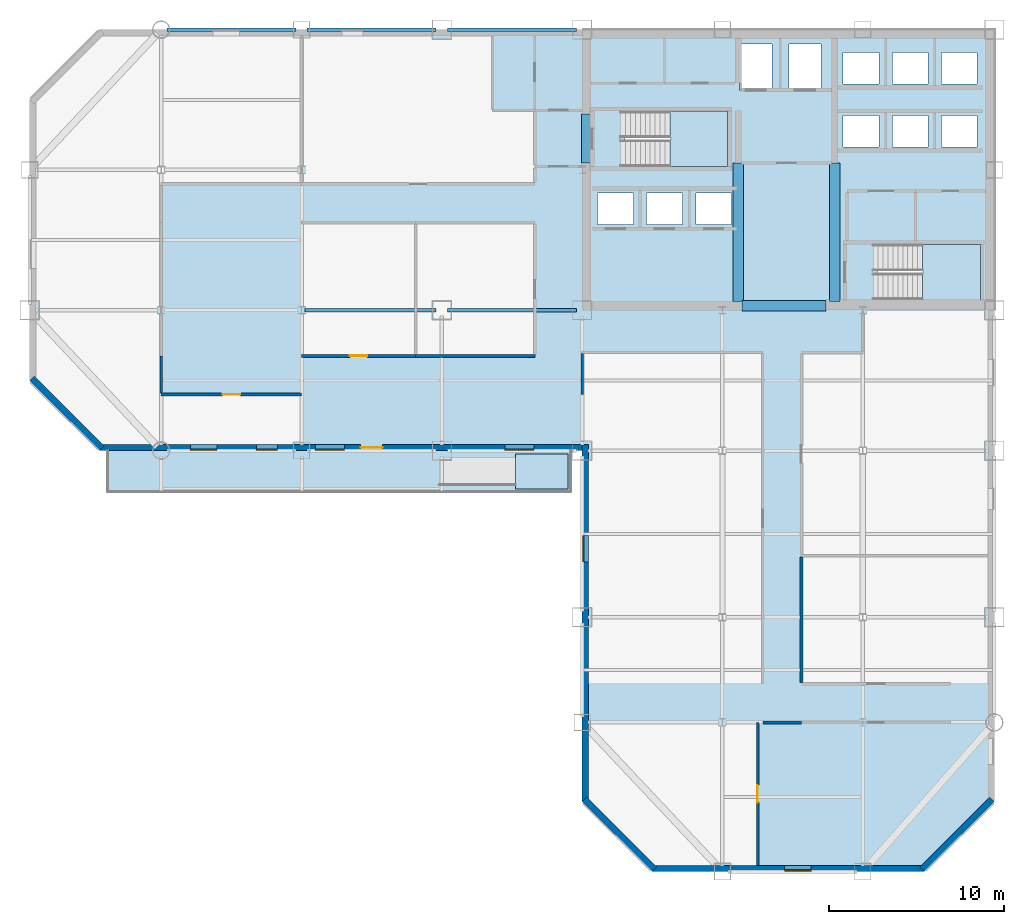
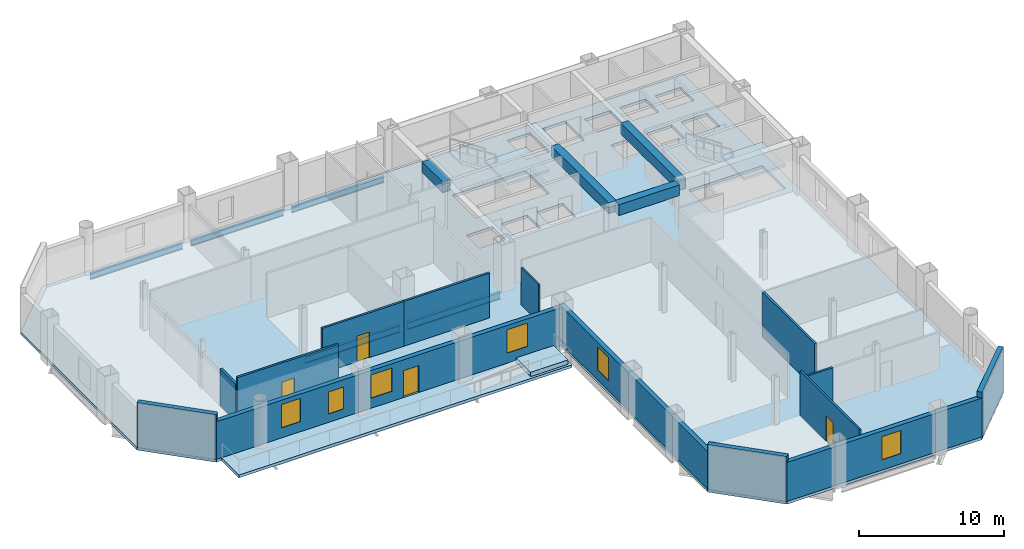
# One storey, part 5 of 10: 14 walls, 9 beams, 6 windows, 5 slabs, 4 doors, 10 openings, 3 elements without a shape of their own.
"""IFC4 building model written with IfcOpenShell, lengths in metres."""

from ifc_helpers import new_model, si_unit, direction, frame, frame_2d, origin, origin_2d, place, context, subcontext, project, spatial, polyline, rectangle, i_section, outline, extrude, material, layer, layer_set, material_profile, profile_set, type_object, element, fill, aggregate, save


model = new_model("IFC4")

# Units and contexts
model_context = context("Model", 3, precision=1e-05, world=origin(), true_north=direction((0.0, 1.0)))
body_context = subcontext(model_context, "Body", "Model", "MODEL_VIEW")
ifc_project = project(units=[si_unit("LENGTHUNIT", "METRE"), si_unit("AREAUNIT", "SQUARE_METRE"), si_unit("VOLUMEUNIT", "CUBIC_METRE"), si_unit("PLANEANGLEUNIT", "RADIAN"), si_unit("MASSUNIT", "GRAM", prefix="KILO")], contexts=[model_context])

# Site, building, storey
site_placement = place(None, origin())
site = spatial("IfcSite", under=ifc_project, at=site_placement, CompositionType="ELEMENT")
building_placement = place(site_placement, origin())
building = spatial("IfcBuilding", under=site, at=building_placement, Name="Qianrong Seaharbour Tower", CompositionType="ELEMENT")
storey_placement = place(building_placement, frame((0.0, 0.0, 151.0)))
storey = spatial("IfcBuildingStorey", under=building, at=storey_placement, Name="L36", CompositionType="ELEMENT", Elevation=151.0)

# Beams
ifc_material_1 = material(Name="Structural steel SN490B", Category="steel")
ifc_material_profile_1 = material_profile(ifc_material_1, i_section(OverallWidth=0.199951171875, OverallDepth=0.60009765625, WebThickness=0.010986328125, FlangeThickness=0.01708984375, FilletRadius=0.02197265625, at=origin_2d()), Name="H600x200x11x17")
ifc_profile_set_1 = profile_set([ifc_material_profile_1], Name="Structural steel SN490B")
beam_type_1 = type_object("IfcBeamType", Name="BM-G-600", PredefinedType="BEAM", material=ifc_profile_set_1)
beam_1_placement = place(storey_placement, frame((24.699951171875, 36.0, -0.534912109375), z_axis=(1.0, 0.0, 0.0), x_axis=(0.0, 1.0, 0.0)))
element("IfcBeam", 1, at=beam_1_placement, inside=storey, type_object=beam_type_1, Name="L36 Primary Girder GF G4-G5", PredefinedType="BEAM", context=body_context, shape_type="SweptSolid", body=[
    extrude(i_section(OverallWidth=0.199951171875, OverallDepth=0.60009765625, WebThickness=0.010986328125, FlangeThickness=0.01708984375, FilletRadius=0.02197265625, at=origin_2d()), origin(), (0.0, 0.0, 1.0), 7.47998046875),
])
beam_2_placement = place(storey_placement, frame((32.820068359375, 36.0, -0.534912109375), z_axis=(1.0, 0.0, 0.0), x_axis=(0.0, 1.0, 0.0)))
element("IfcBeam", 2, at=beam_2_placement, inside=storey, type_object=beam_type_1, Name="L36 Primary Girder GF G5-G6", PredefinedType="BEAM", context=body_context, shape_type="SweptSolid", body=[
    extrude(i_section(OverallWidth=0.199951171875, OverallDepth=0.60009765625, WebThickness=0.010986328125, FlangeThickness=0.01708984375, FilletRadius=0.02197265625, at=origin_2d()), origin(), (0.0, 0.0, 1.0), 7.35986328125),
])
ifc_material_2 = material(Name="Concrete C70/85", Category="concrete")
ifc_material_profile_2 = material_profile(ifc_material_2, rectangle(XDim=0.60009765625, YDim=0.89990234375, at=origin_2d()), Name="RC600x900")
ifc_profile_set_2 = profile_set([ifc_material_profile_2], Name="Concrete C70/85")
beam_type_2 = type_object("IfcBeamType", Name="BM-LINTEL-900", PredefinedType="LINTEL", material=ifc_profile_set_2)
beam_3_placement = place(storey_placement, frame((40.75, 44.39990234375, 3.31494140625), z_axis=(0.0, 1.0, 0.0), x_axis=(-1.0, 0.0, 0.0)))
element("IfcBeam", 3, at=beam_3_placement, inside=storey, type_object=beam_type_2, Name="L36 Core Coupling Lintel Beam West", PredefinedType="LINTEL", context=body_context, shape_type="SweptSolid", body=[
    extrude(rectangle(XDim=0.60009765625, YDim=0.89990234375, at=origin_2d()), origin(), (0.0, 0.0, 1.0), 2.800048828125),
])
beam_4_placement = place(storey_placement, frame((49.60009765625, 36.25, 3.31494140625), z_axis=(1.0, 0.0, 0.0), x_axis=(0.0, 1.0, 0.0)))
element("IfcBeam", 4, at=beam_4_placement, inside=storey, type_object=beam_type_2, Name="L36 Core Coupling Lintel Beam CBC", PredefinedType="LINTEL", context=body_context, shape_type="SweptSolid", body=[
    extrude(rectangle(XDim=0.60009765625, YDim=0.89990234375, at=origin_2d()), origin(), (0.0, 0.0, 1.0), 4.7998046875),
])
for number, where, z_axis, x_axis, name in (
    (5, (49.39990234375, 36.5, 3.31494140625), (0.0, 1.0, 0.0), (-1.0, 0.0, 0.0), "L36 Internal Core Coupling Beam IW1"),
    (6, (54.89990234375, 36.5, 3.31494140625), (0.0, 1.0, 0.0), (-1.0, 0.0, 0.0), "L36 Internal Core Coupling Beam IW2"),
):
    element("IfcBeam", number, at=place(storey_placement, frame(where, z_axis=z_axis, x_axis=x_axis)), inside=storey, type_object=beam_type_2, Name=name, PredefinedType="LINTEL", context=body_context, shape_type="SweptSolid", body=[
        extrude(rectangle(XDim=0.60009765625, YDim=0.89990234375, at=origin_2d()), origin(), (0.0, 0.0, 1.0), 7.89990234375),
    ])
ifc_material_profile_3 = material_profile(ifc_material_1, i_section(OverallWidth=0.199951171875, OverallDepth=0.5, WebThickness=0.010009765625, FlangeThickness=0.01611328125, FilletRadius=0.02001953125, at=origin_2d()), Name="H500x200x10x16")
ifc_profile_set_3 = profile_set([ifc_material_profile_3], Name="Structural steel SN490B")
beam_type_3 = type_object("IfcBeamType", Name="BM-SP-500", PredefinedType="SPANDREL", material=ifc_profile_set_3)
for number, where, z_axis, x_axis, name in (
    (7, (16.820068359375, 52.0, -0.485107421875), (1.0, 0.0, 0.0), (0.0, 1.0, 0.0), "L36 Spandrel Girder GH G3-G4"),
    (8, (24.820068359375, 52.0, -0.485107421875), (1.0, 0.0, 0.0), (0.0, 1.0, 0.0), "L36 Spandrel Girder GH G4-G5"),
    (9, (32.820068359375, 52.0, -0.485107421875), (1.0, 0.0, 0.0), (0.0, 1.0, 0.0), "L36 Spandrel Girder GH G5-G6"),
):
    element("IfcBeam", number, at=place(storey_placement, frame(where, z_axis=z_axis, x_axis=x_axis)), inside=storey, type_object=beam_type_3, Name=name, PredefinedType="SPANDREL", context=body_context, shape_type="SweptSolid", body=[
        extrude(i_section(OverallWidth=0.199951171875, OverallDepth=0.5, WebThickness=0.010009765625, FlangeThickness=0.01611328125, FilletRadius=0.02001953125, at=origin_2d()), origin(), (0.0, 0.0, 1.0), 7.35986328125),
    ])

# Ramp, slab
ifc_material_3 = material(Name="White architectural precast concrete C45/55", Category="concrete")
ramp_type = type_object("IfcRampType", Name="RAMP-RIBBON-GARDEN", PredefinedType="STRAIGHT_RUN_RAMP", material=ifc_material_3)
ramp_placement = place(storey_placement, origin())
ramp = element("IfcRamp", 10, at=ramp_placement, inside=storey, type_object=ramp_type, Name="L36 Harbourfront Garden Ribbon Ramp", PredefinedType="STRAIGHT_RUN_RAMP")
ifc_layer_1 = layer(ifc_material_3, 0.360107421875)
ifc_layer_set_1 = layer_set([ifc_layer_1], Name="White architectural precast concrete C45/55")
slab_type_1 = type_object("IfcSlabType", Name="SLAB-RAMP-LANDING-220", PredefinedType="LANDING", material=ifc_layer_set_1)
slab_1_placement = place(storey_placement, origin())
slab_1 = element("IfcSlab", 11, at=slab_1_placement, type_object=slab_type_1, Name="L36 Harbourfront Ribbon Raised Garden Landing", PredefinedType="LANDING", context=body_context, shape_type="SweptSolid", body=[
    extrude(outline(polyline([(36.699951171875, 25.800048828125), (39.699951171875, 25.800048828125), (39.699951171875, 27.800048828125), (36.699951171875, 27.800048828125), (36.699951171875, 25.800048828125)])), origin(), (0.0, 0.0, 1.0), 0.360107421875),
])
aggregate(ramp, [slab_1])

# Slab
ifc_layer_2 = layer(ifc_material_3, 0.235107421875)
ifc_layer_set_2 = layer_set([ifc_layer_2], Name="White architectural precast concrete C45/55")
slab_type_2 = type_object("IfcSlabType", Name="SLAB-RIBBON-235", PredefinedType="FLOOR", material=ifc_layer_set_2)
slab_2_placement = place(storey_placement, frame((0.0, 0.0, -0.235107421875)))
element("IfcSlab", 12, at=slab_2_placement, inside=storey, type_object=slab_type_2, Name="L36 Harbourfront White Precast Ribbon Gallery Slab", PredefinedType="FLOOR", context=body_context, shape_type="SweptSolid", body=[
    extrude(outline(polyline([(13.39990234375, 25.60009765625), (39.89990234375, 25.60009765625), (39.89990234375, 28.0), (13.39990234375, 28.0), (13.39990234375, 25.60009765625)])), origin(), (0.0, 0.0, 1.0), 0.235107421875),
])

# Stair, slab
ifc_material_4 = material(Name="Concrete C50/60", Category="concrete")
stair_type = type_object("IfcStairType", Name="STAIR-DOGLEG-1500-R22", PredefinedType="HALF_TURN_STAIR", material=ifc_material_4)
stair_1_placement = place(storey_placement, origin())
stair_1 = element("IfcStair", 13, at=stair_1_placement, inside=storey, type_object=stair_type, Name="L36 Protected Escape Stair ST-1", PredefinedType="HALF_TURN_STAIR")
ifc_layer_3 = layer(ifc_material_4, 0.199951171875)
ifc_layer_set_3 = layer_set([ifc_layer_3], Name="Concrete C50/60")
slab_type_3 = type_object("IfcSlabType", Name="SLAB-STAIR-LANDING-200", PredefinedType="LANDING", material=ifc_layer_set_3)
slab_3_placement = place(storey_placement, frame((0.0, 0.0, 1.800048828125)))
slab_3 = element("IfcSlab", 14, at=slab_3_placement, type_object=slab_type_3, Name="ST-1 landing 1", PredefinedType="LANDING", context=body_context, shape_type="SweptSolid", body=[
    extrude(outline(polyline([(45.5, 44.199951171875), (48.800048828125, 44.199951171875), (48.800048828125, 47.35009765625), (45.5, 47.35009765625), (45.5, 44.199951171875)])), origin(), (0.0, 0.0, 1.0), 0.199951171875),
])
aggregate(stair_1, [slab_3])

stair_2_placement = place(storey_placement, origin())
stair_2 = element("IfcStair", 15, at=stair_2_placement, inside=storey, type_object=stair_type, Name="L36 Protected Escape Stair ST-2", PredefinedType="HALF_TURN_STAIR")
slab_4_placement = place(storey_placement, frame((0.0, 0.0, 1.800048828125)))
slab_4 = element("IfcSlab", 16, at=slab_4_placement, type_object=slab_type_3, Name="ST-2 landing 1", PredefinedType="LANDING", context=body_context, shape_type="SweptSolid", body=[
    extrude(outline(polyline([(59.89990234375, 36.60009765625), (63.199951171875, 36.60009765625), (63.199951171875, 39.75), (59.89990234375, 39.75), (59.89990234375, 36.60009765625)])), origin(), (0.0, 0.0, 1.0), 0.199951171875),
])
aggregate(stair_2, [slab_4])

# Slab
ifc_layer_4 = layer(ifc_material_4, 0.235107421875)
ifc_layer_set_4 = layer_set([ifc_layer_4], Name="Concrete C50/60")
slab_type_4 = type_object("IfcSlabType", Name="SLAB-Z2-235", PredefinedType="FLOOR", material=ifc_layer_set_4)
slab_5_placement = place(storey_placement, frame((0.0, 0.0, -0.235107421875)))
element("IfcSlab", 17, at=slab_5_placement, inside=storey, type_object=slab_type_4, Name="L36 Structural Floor Slab", PredefinedType="FLOOR", context=body_context, shape_type="SweptSolid", body=[
    extrude(outline(polyline([(44.5, 4.0), (60.0, 4.0), (64.0, 8.0), (64.0, 52.0), (13.0, 52.0), (9.0, 48.0), (9.0, 32.0), (13.0, 28.0), (40.5, 28.0), (40.5, 8.0), (44.5, 4.0)]), holes=[polyline([(42.93994140625, 44.199951171875), (42.93994140625, 47.35009765625), (48.800048828125, 47.35009765625), (48.800048828125, 44.199951171875), (42.93994140625, 44.199951171875)]), polyline([(57.340087890625, 36.60009765625), (57.340087890625, 39.75), (63.199951171875, 39.75), (63.199951171875, 36.60009765625), (57.340087890625, 36.60009765625)]), polyline([(49.47998046875, 48.530029296875), (49.47998046875, 51.169921875), (51.320068359375, 51.169921875), (51.320068359375, 48.530029296875), (49.47998046875, 48.530029296875)]), polyline([(52.280029296875, 48.530029296875), (52.280029296875, 51.169921875), (54.1201171875, 51.169921875), (54.1201171875, 48.530029296875), (52.280029296875, 48.530029296875)]), polyline([(41.3798828125, 40.89990234375), (41.3798828125, 42.699951171875), (43.419921875, 42.699951171875), (43.419921875, 40.89990234375), (41.3798828125, 40.89990234375)]), polyline([(44.179931640625, 40.89990234375), (44.179931640625, 42.699951171875), (46.219970703125, 42.699951171875), (46.219970703125, 40.89990234375), (44.179931640625, 40.89990234375)]), polyline([(46.97998046875, 40.89990234375), (46.97998046875, 42.699951171875), (49.02001953125, 42.699951171875), (49.02001953125, 40.89990234375), (46.97998046875, 40.89990234375)]), polyline([(55.3798828125, 45.300048828125), (55.3798828125, 47.10009765625), (57.419921875, 47.10009765625), (57.419921875, 45.300048828125), (55.3798828125, 45.300048828125)]), polyline([(58.179931640625, 45.300048828125), (58.179931640625, 47.10009765625), (60.219970703125, 47.10009765625), (60.219970703125, 45.300048828125), (58.179931640625, 45.300048828125)]), polyline([(60.97998046875, 45.300048828125), (60.97998046875, 47.10009765625), (63.02001953125, 47.10009765625), (63.02001953125, 45.300048828125), (60.97998046875, 45.300048828125)]), polyline([(55.3798828125, 48.89990234375), (55.3798828125, 50.699951171875), (57.419921875, 50.699951171875), (57.419921875, 48.89990234375), (55.3798828125, 48.89990234375)]), polyline([(58.179931640625, 48.89990234375), (58.179931640625, 50.699951171875), (60.219970703125, 50.699951171875), (60.219970703125, 48.89990234375), (58.179931640625, 48.89990234375)]), polyline([(60.97998046875, 48.89990234375), (60.97998046875, 50.699951171875), (63.02001953125, 50.699951171875), (63.02001953125, 48.89990234375), (60.97998046875, 48.89990234375)])]), origin(), (0.0, 0.0, 1.0), 0.235107421875),
])

# Wall, opening, door
ifc_material_5 = material(Name="Fire-rated acoustic gypsum board partition")
ifc_layer_5 = layer(ifc_material_5, 0.1650390625)
ifc_layer_set_5 = layer_set([ifc_layer_5], Name="Fire-rated acoustic gypsum board partition")
wall_type_1 = type_object("IfcWallType", Name="WALL-CORR-PART-165", PredefinedType="PARTITIONING", material=ifc_layer_set_5)
wall_1_placement = place(storey_placement, frame((24.5, 31.199951171875, 0.0), z_axis=(0.0, 0.0, 1.0), x_axis=(-1.0, 0.0, 0.0)))
wall_1 = element("IfcWall", 18, at=wall_1_placement, inside=storey, type_object=wall_type_1, Name="L36 Interior Partition Wall 015", PredefinedType="PARTITIONING", context=body_context, shape_type="SweptSolid", body=[
    extrude(rectangle(XDim=8.0, YDim=0.1650390625, at=frame_2d((4.0, 0.0))), origin(), (0.0, 0.0, 1.0), 3.764892578125),
])
opening_1_placement = place(wall_1_placement, frame((3.5, 0.0, 0.0)))
opening_1 = element("IfcOpeningElement", 19, at=opening_1_placement, cuts=wall_1, Name="Opening DO-01", PredefinedType="OPENING", context=body_context, shape_type="SweptSolid", body=[
    extrude(rectangle(XDim=1.0, YDim=2.14990234375, at=frame_2d((0.5, 1.074951171875))), frame((0.0, 0.092529296875, 0.0), z_axis=(0.0, -1.0, 0.0), x_axis=(1.0, 0.0, 0.0)), (0.0, 0.0, 1.0), 0.18505859375),
])
ifc_material_6 = material(Name="Acoustic timber and galvanized steel fire door assembly", Category="steel")
door_type_1 = type_object("IfcDoorType", Name="DOOR-OFFICE-1000x2150", OperationType="NOTDEFINED", PredefinedType="DOOR", material=ifc_material_6)
door_1_placement = place(opening_1_placement, origin())
door_1 = element("IfcDoor", 20, at=door_1_placement, inside=storey, type_object=door_type_1, Name="L36 West Harbour Open-Plan Office Door", OperationType="SINGLE_SWING_LEFT", OverallHeight=2.14990234375, OverallWidth=1.0, PredefinedType="DOOR", context=body_context, shape_type="SweptSolid", body=[
    extrude(rectangle(XDim=1.0, YDim=2.14990234375, at=frame_2d((0.5, 1.074951171875))), frame((0.0, 0.02490234375, 0.0), z_axis=(0.0, -1.0, 0.0), x_axis=(1.0, 0.0, 0.0)), (0.0, 0.0, 1.0), 0.050048828125),
])
fill(opening_1, door_1)

# Wall
wall_2_placement = place(storey_placement, frame((16.5, 31.2744140625, 0.0), z_axis=(0.0, 0.0, 1.0), x_axis=(0.0, 1.0, 0.0)))
element("IfcWall", 21, at=wall_2_placement, inside=storey, type_object=wall_type_1, Name="L36 Interior Partition Wall 016", PredefinedType="PARTITIONING", context=body_context, shape_type="SweptSolid", body=[
    extrude(rectangle(XDim=2.12548828125, YDim=0.1650390625, at=frame_2d((1.062744140625, 0.0))), origin(), (0.0, 0.0, 1.0), 3.156982421875),
])

# Wall, opening, door
wall_3_placement = place(storey_placement, frame((24.5, 33.39990234375, 0.0), z_axis=(0.0, 0.0, 1.0), x_axis=(1.0, 0.0, 0.0)))
wall_3 = element("IfcWall", 22, at=wall_3_placement, inside=storey, type_object=wall_type_1, Name="L36 Interior Partition Wall 017", PredefinedType="PARTITIONING", context=body_context, shape_type="SweptSolid", body=[
    extrude(rectangle(XDim=6.5, YDim=0.1650390625, at=frame_2d((3.25, 0.0))), origin(), (0.0, 0.0, 1.0), 3.764892578125),
])
opening_2_placement = place(wall_3_placement, frame((2.75, 0.0, 0.0)))
opening_2 = element("IfcOpeningElement", 23, at=opening_2_placement, cuts=wall_3, Name="Opening DO-01", PredefinedType="OPENING", context=body_context, shape_type="SweptSolid", body=[
    extrude(rectangle(XDim=1.0, YDim=2.14990234375, at=frame_2d((0.5, 1.074951171875))), frame((0.0, 0.092529296875, 0.0), z_axis=(0.0, -1.0, 0.0), x_axis=(1.0, 0.0, 0.0)), (0.0, 0.0, 1.0), 0.18505859375),
])
door_2_placement = place(opening_2_placement, origin())
door_2 = element("IfcDoor", 24, at=door_2_placement, inside=storey, type_object=door_type_1, Name="L36 Project Library 1 Door", OperationType="SINGLE_SWING_LEFT", OverallHeight=2.14990234375, OverallWidth=1.0, PredefinedType="DOOR", context=body_context, shape_type="SweptSolid", body=[
    extrude(rectangle(XDim=1.0, YDim=2.14990234375, at=frame_2d((0.5, 1.074951171875))), frame((0.0, 0.02490234375, 0.0), z_axis=(0.0, -1.0, 0.0), x_axis=(1.0, 0.0, 0.0)), (0.0, 0.0, 1.0), 0.050048828125),
])
fill(opening_2, door_2)

# Walls
wall_4_placement = place(storey_placement, frame((31.0, 33.39990234375, 0.0), z_axis=(0.0, 0.0, 1.0), x_axis=(1.0, 0.0, 0.0)))
element("IfcWall", 25, at=wall_4_placement, inside=storey, type_object=wall_type_1, Name="L36 Interior Partition Wall 018", PredefinedType="PARTITIONING", context=body_context, shape_type="SweptSolid", body=[
    extrude(rectangle(XDim=6.800048828125, YDim=0.1650390625, at=frame_2d((3.39990234375, 0.0))), origin(), (0.0, 0.0, 1.0), 3.764892578125),
])
wall_5_placement = place(storey_placement, frame((53.0, 21.935546875, 0.0), z_axis=(0.0, 0.0, 1.0), x_axis=(0.0, -1.0, 0.0)))
element("IfcWall", 26, at=wall_5_placement, inside=storey, type_object=wall_type_1, Name="L36 Interior Partition Wall 032", PredefinedType="PARTITIONING", context=body_context, shape_type="SweptSolid", body=[
    extrude(rectangle(XDim=7.1611328125, YDim=0.1650390625, at=frame_2d((3.58056640625, 0.0))), origin(), (0.0, 0.0, 1.0), 3.764892578125),
])
wall_6_placement = place(storey_placement, frame((53.0, 12.5, 0.0), z_axis=(0.0, 0.0, 1.0), x_axis=(-1.0, 0.0, 0.0)))
element("IfcWall", 27, at=wall_6_placement, inside=storey, type_object=wall_type_1, Name="L36 Interior Partition Wall 034", PredefinedType="PARTITIONING", context=body_context, shape_type="SweptSolid", body=[
    extrude(rectangle(XDim=2.199951171875, YDim=0.1650390625, at=frame_2d((1.10009765625, 0.0))), origin(), (0.0, 0.0, 1.0), 3.156982421875),
])

# Wall, opening, window
ifc_material_7 = material(Name="Unitised red brick on Precast concrete C45/55", Category="masonry")
ifc_layer_6 = layer(ifc_material_7, 0.360107421875)
ifc_layer_set_6 = layer_set([ifc_layer_6], Name="Unitised red brick on Precast concrete C45/55")
wall_type_2 = type_object("IfcWallType", Name="WALL-EXT-BRICK-RED-360", PredefinedType="SOLIDWALL", material=ifc_layer_set_6)
wall_7_placement = place(storey_placement, frame((40.679931640625, 8.0, 0.0), z_axis=(0.0, 0.0, 1.0), x_axis=(0.0, 1.0, 0.0)))
wall_7 = element("IfcWall", 28, at=wall_7_placement, inside=storey, type_object=wall_type_2, Name="L36 Exterior Masonry Facade Wall REENTRANT_WEST", PredefinedType="SOLIDWALL", context=body_context, shape_type="SweptSolid", body=[
    extrude(rectangle(XDim=20.360107421875, YDim=0.360107421875, at=frame_2d((10.18017578125, 0.0))), origin(), (0.0, 0.0, 1.0), 3.1650390625),
])
opening_3_placement = place(wall_7_placement, frame((13.64990234375, 0.0, 0.85009765625)))
opening_3 = element("IfcOpeningElement", 29, at=opening_3_placement, cuts=wall_7, Name="Opening WN-03", PredefinedType="OPENING", context=body_context, shape_type="SweptSolid", body=[
    extrude(rectangle(XDim=1.5, YDim=1.949951171875, at=frame_2d((0.75, 0.97509765625))), frame((0.0, 0.18994140625, 0.0), z_axis=(0.0, -1.0, 0.0), x_axis=(1.0, 0.0, 0.0)), (0.0, 0.0, 1.0), 0.380126953125),
])
ifc_material_8 = material(Name="Insulated low-e double glazing in thermally broken aluminium 6063-T6 frame", Category="aluminium")
window_type_1 = type_object("IfcWindowType", Name="WIN-PUNCH-1500x1950", PartitioningType="DOUBLE_PANEL_VERTICAL", PredefinedType="WINDOW", material=ifc_material_8)
window_1_placement = place(opening_3_placement, origin())
window_1 = element("IfcWindow", 30, at=window_1_placement, inside=storey, type_object=window_type_1, Name="L36 Deep-Set Punched Window 00.04", OverallHeight=1.949951171875, OverallWidth=1.5, PartitioningType="DOUBLE_PANEL_VERTICAL", PredefinedType="WINDOW", context=body_context, shape_type="SweptSolid", body=[
    extrude(rectangle(XDim=1.5, YDim=1.949951171875, at=frame_2d((0.75, 0.97509765625))), frame((0.0, 0.150146484375, 0.0), z_axis=(0.0, -1.0, 0.0), x_axis=(1.0, 0.0, 0.0)), (0.0, 0.0, 1.0), 0.06005859375),
])
fill(opening_3, window_1)

# Wall, openings, door, windows
wall_8_placement = place(storey_placement, frame((40.52001953125, 28.179931640625, 0.0), z_axis=(0.0, 0.0, 1.0), x_axis=(-1.0, 0.0, 0.0)))
wall_8 = element("IfcWall", 31, at=wall_8_placement, inside=storey, type_object=wall_type_2, Name="L36 Exterior Masonry Facade Wall HARBOUR_RIBBON", PredefinedType="SOLIDWALL", context=body_context, shape_type="SweptSolid", body=[
    extrude(rectangle(XDim=27.52001953125, YDim=0.360107421875, at=frame_2d((13.760009765625, 0.0))), origin(), (0.0, 0.0, 1.0), 3.1650390625),
])
opening_4_placement = place(wall_8_placement, frame((2.77490234375, 0.0, 0.85009765625)))
opening_4 = element("IfcOpeningElement", 32, at=opening_4_placement, cuts=wall_8, Name="Opening WN-04", PredefinedType="OPENING", context=body_context, shape_type="SweptSolid", body=[
    extrude(rectangle(XDim=1.64990234375, YDim=1.949951171875, at=frame_2d((0.824951171875, 0.97509765625))), frame((0.0, 0.18994140625, 0.0), z_axis=(0.0, -1.0, 0.0), x_axis=(1.0, 0.0, 0.0)), (0.0, 0.0, 1.0), 0.380126953125),
])
opening_5_placement = place(wall_8_placement, frame((13.574951171875, 0.0, 0.85009765625)))
opening_5 = element("IfcOpeningElement", 33, at=opening_5_placement, cuts=wall_8, Name="Opening WN-04", PredefinedType="OPENING", context=body_context, shape_type="SweptSolid", body=[
    extrude(rectangle(XDim=1.64990234375, YDim=1.949951171875, at=frame_2d((0.824951171875, 0.97509765625))), frame((0.0, 0.18994140625, 0.0), z_axis=(0.0, -1.0, 0.0), x_axis=(1.0, 0.0, 0.0)), (0.0, 0.0, 1.0), 0.380126953125),
])
opening_6_placement = place(wall_8_placement, frame((17.39990234375, 0.0, 0.699951171875)))
opening_6 = element("IfcOpeningElement", 34, at=opening_6_placement, cuts=wall_8, Name="Opening WN-01", PredefinedType="OPENING", context=body_context, shape_type="SweptSolid", body=[
    extrude(rectangle(XDim=1.199951171875, YDim=1.85009765625, at=frame_2d((0.60009765625, 0.925048828125))), frame((0.0, 0.18994140625, 0.0), z_axis=(0.0, -1.0, 0.0), x_axis=(1.0, 0.0, 0.0)), (0.0, 0.0, 1.0), 0.380126953125),
])
opening_7_placement = place(wall_8_placement, frame((20.85009765625, 0.0, 0.85009765625)))
opening_7 = element("IfcOpeningElement", 35, at=opening_7_placement, cuts=wall_8, Name="Opening WN-03", PredefinedType="OPENING", context=body_context, shape_type="SweptSolid", body=[
    extrude(rectangle(XDim=1.5, YDim=1.949951171875, at=frame_2d((0.75, 0.97509765625))), frame((0.0, 0.18994140625, 0.0), z_axis=(0.0, -1.0, 0.0), x_axis=(1.0, 0.0, 0.0)), (0.0, 0.0, 1.0), 0.380126953125),
])
opening_8_placement = place(wall_8_placement, frame((11.39501953125, 0.0, 0.0)))
opening_8 = element("IfcOpeningElement", 36, at=opening_8_placement, cuts=wall_8, Name="Opening D-TER1", PredefinedType="OPENING", context=body_context, shape_type="SweptSolid", body=[
    extrude(rectangle(XDim=1.25, YDim=2.25, at=frame_2d((0.625, 1.125))), frame((0.0, 0.18994140625, 0.0), z_axis=(0.0, -1.0, 0.0), x_axis=(1.0, 0.0, 0.0)), (0.0, 0.0, 1.0), 0.380126953125),
])
ifc_material_9 = material(Name="Insulated galvanized steel and laminated glass door assembly", Category="steel")
door_type_2 = type_object("IfcDoorType", Name="DOOR-EXT-TERRACE-1250x2250", OperationType="NOTDEFINED", PredefinedType="DOOR", material=ifc_material_9)
door_3_placement = place(opening_8_placement, origin())
door_3 = element("IfcDoor", 37, at=door_3_placement, inside=storey, type_object=door_type_2, Name="L36 Harbourfront Ribbon Gallery Access Door", OperationType="SINGLE_SWING_LEFT", OverallHeight=2.25, OverallWidth=1.25, PredefinedType="DOOR", context=body_context, shape_type="SweptSolid", body=[
    extrude(rectangle(XDim=1.25, YDim=2.25, at=frame_2d((0.625, 1.125))), frame((0.0, 0.02490234375, 0.0), z_axis=(0.0, -1.0, 0.0), x_axis=(1.0, 0.0, 0.0)), (0.0, 0.0, 1.0), 0.050048828125),
])
fill(opening_8, door_3)
window_type_2 = type_object("IfcWindowType", Name="WIN-PUNCH-1200x1850", PartitioningType="DOUBLE_PANEL_VERTICAL", PredefinedType="WINDOW", material=ifc_material_8)
window_2_placement = place(opening_6_placement, origin())
window_2 = element("IfcWindow", 38, at=window_2_placement, inside=storey, type_object=window_type_2, Name="L36 Deep-Set Punched Window 01.05", OverallHeight=1.85009765625, OverallWidth=1.199951171875, PartitioningType="DOUBLE_PANEL_VERTICAL", PredefinedType="WINDOW", context=body_context, shape_type="SweptSolid", body=[
    extrude(rectangle(XDim=1.199951171875, YDim=1.85009765625, at=frame_2d((0.60009765625, 0.925048828125))), frame((0.0, 0.150146484375, 0.0), z_axis=(0.0, -1.0, 0.0), x_axis=(1.0, 0.0, 0.0)), (0.0, 0.0, 1.0), 0.06005859375),
])
fill(opening_6, window_2)
window_3_placement = place(opening_7_placement, origin())
window_3 = element("IfcWindow", 39, at=window_3_placement, inside=storey, type_object=window_type_1, Name="L36 Deep-Set Punched Window 01.06", OverallHeight=1.949951171875, OverallWidth=1.5, PartitioningType="DOUBLE_PANEL_VERTICAL", PredefinedType="WINDOW", context=body_context, shape_type="SweptSolid", body=[
    extrude(rectangle(XDim=1.5, YDim=1.949951171875, at=frame_2d((0.75, 0.97509765625))), frame((0.0, 0.150146484375, 0.0), z_axis=(0.0, -1.0, 0.0), x_axis=(1.0, 0.0, 0.0)), (0.0, 0.0, 1.0), 0.06005859375),
])
fill(opening_7, window_3)
window_type_3 = type_object("IfcWindowType", Name="WIN-PUNCH-1650x1950", PartitioningType="DOUBLE_PANEL_VERTICAL", PredefinedType="WINDOW", material=ifc_material_8)
window_4_placement = place(opening_4_placement, origin())
window_4 = element("IfcWindow", 40, at=window_4_placement, inside=storey, type_object=window_type_3, Name="L36 Deep-Set Punched Window 01.01", OverallHeight=1.949951171875, OverallWidth=1.64990234375, PartitioningType="DOUBLE_PANEL_VERTICAL", PredefinedType="WINDOW", context=body_context, shape_type="SweptSolid", body=[
    extrude(rectangle(XDim=1.64990234375, YDim=1.949951171875, at=frame_2d((0.824951171875, 0.97509765625))), frame((0.0, 0.150146484375, 0.0), z_axis=(0.0, -1.0, 0.0), x_axis=(1.0, 0.0, 0.0)), (0.0, 0.0, 1.0), 0.06005859375),
])
fill(opening_4, window_4)
window_5_placement = place(opening_5_placement, origin())
window_5 = element("IfcWindow", 41, at=window_5_placement, inside=storey, type_object=window_type_3, Name="L36 Deep-Set Punched Window 01.04", OverallHeight=1.949951171875, OverallWidth=1.64990234375, PartitioningType="DOUBLE_PANEL_VERTICAL", PredefinedType="WINDOW", context=body_context, shape_type="SweptSolid", body=[
    extrude(rectangle(XDim=1.64990234375, YDim=1.949951171875, at=frame_2d((0.824951171875, 0.97509765625))), frame((0.0, 0.150146484375, 0.0), z_axis=(0.0, -1.0, 0.0), x_axis=(1.0, 0.0, 0.0)), (0.0, 0.0, 1.0), 0.06005859375),
])
fill(opening_5, window_5)

# Walls
for number, where, z_axis, x_axis, name in (
    (42, (13.127197265625, 28.127197265625, 0.0), (0.0, 0.0, 1.0), (-0.707106781187, 0.707106781187, 0.0), "L36 Exterior Masonry Facade Wall E02"),
    (43, (63.872802734375, 8.127197265625, 0.0), (0.0, 0.0, 1.0), (-0.707106781187, -0.707106781187, 0.0), "L36 Exterior Masonry Facade Wall E07"),
):
    element("IfcWall", number, at=place(storey_placement, frame(where, z_axis=z_axis, x_axis=x_axis)), inside=storey, type_object=wall_type_2, Name=name, PredefinedType="SOLIDWALL", context=body_context, shape_type="SweptSolid", body=[
        extrude(rectangle(XDim=5.65673828125, YDim=0.360107421875, at=frame_2d((2.828369140625, 0.0))), origin(), (0.0, 0.0, 1.0), 3.764892578125),
    ])

# Wall, opening, window
wall_9_placement = place(storey_placement, frame((60.0, 4.179931640625, 0.0), z_axis=(0.0, 0.0, 1.0), x_axis=(-1.0, 0.0, 0.0)))
wall_9 = element("IfcWall", 44, at=wall_9_placement, inside=storey, type_object=wall_type_2, Name="L36 Exterior Masonry Facade Wall SOUTH_TIP", PredefinedType="SOLIDWALL", context=body_context, shape_type="SweptSolid", body=[
    extrude(rectangle(XDim=15.5, YDim=0.360107421875, at=frame_2d((7.75, 0.0))), origin(), (0.0, 0.0, 1.0), 3.264892578125),
])
opening_9_placement = place(wall_9_placement, frame((6.449951171875, 0.0, 0.85009765625)))
opening_9 = element("IfcOpeningElement", 45, at=opening_9_placement, cuts=wall_9, Name="Opening WN-03", PredefinedType="OPENING", context=body_context, shape_type="SweptSolid", body=[
    extrude(rectangle(XDim=1.5, YDim=1.949951171875, at=frame_2d((0.75, 0.97509765625))), frame((0.0, 0.18994140625, 0.0), z_axis=(0.0, -1.0, 0.0), x_axis=(1.0, 0.0, 0.0)), (0.0, 0.0, 1.0), 0.380126953125),
])
window_6_placement = place(opening_9_placement, origin())
window_6 = element("IfcWindow", 46, at=window_6_placement, inside=storey, type_object=window_type_1, Name="L36 Deep-Set Punched Window 08.02", OverallHeight=1.949951171875, OverallWidth=1.5, PartitioningType="DOUBLE_PANEL_VERTICAL", PredefinedType="WINDOW", context=body_context, shape_type="SweptSolid", body=[
    extrude(rectangle(XDim=1.5, YDim=1.949951171875, at=frame_2d((0.75, 0.97509765625))), frame((0.0, 0.150146484375, 0.0), z_axis=(0.0, -1.0, 0.0), x_axis=(1.0, 0.0, 0.0)), (0.0, 0.0, 1.0), 0.06005859375),
])
fill(opening_9, window_6)

# Wall
wall_10_placement = place(storey_placement, frame((44.627197265625, 4.127197265625, 0.0), z_axis=(0.0, 0.0, 1.0), x_axis=(-0.707106781187, 0.707106781187, 0.0)))
element("IfcWall", 47, at=wall_10_placement, inside=storey, type_object=wall_type_2, Name="L36 Exterior Masonry Facade Wall E09", PredefinedType="SOLIDWALL", context=body_context, shape_type="SweptSolid", body=[
    extrude(rectangle(XDim=5.65673828125, YDim=0.360107421875, at=frame_2d((2.828369140625, 0.0))), origin(), (0.0, 0.0, 1.0), 3.764892578125),
])

# Wall, opening, door
ifc_material_10 = material(Name="Acoustic gypsum board stud partition")
ifc_layer_7 = layer(ifc_material_10, 0.14501953125)
ifc_layer_set_7 = layer_set([ifc_layer_7], Name="Acoustic gypsum board stud partition")
wall_type_3 = type_object("IfcWallType", Name="WALL-OFFICE-PART-145", PredefinedType="PARTITIONING", material=ifc_layer_set_7)
wall_11_placement = place(storey_placement, frame((50.5, 12.5, 0.0), z_axis=(0.0, 0.0, 1.0), x_axis=(0.0, -1.0, 0.0)))
wall_11 = element("IfcWall", 48, at=wall_11_placement, inside=storey, type_object=wall_type_3, Name="L36 Interior Partition Wall 040", PredefinedType="PARTITIONING", context=body_context, shape_type="SweptSolid", body=[
    extrude(rectangle(XDim=8.14794921875, YDim=0.14501953125, at=frame_2d((4.073974609375, 0.0))), origin(), (0.0, 0.0, 1.0), 3.764892578125),
])
opening_10_placement = place(wall_11_placement, frame((3.573974609375, 0.0, 0.0)))
opening_10 = element("IfcOpeningElement", 49, at=opening_10_placement, cuts=wall_11, Name="Opening DO-01", PredefinedType="OPENING", context=body_context, shape_type="SweptSolid", body=[
    extrude(rectangle(XDim=1.0, YDim=2.14990234375, at=frame_2d((0.5, 1.074951171875))), frame((0.0, 0.08251953125, 0.0), z_axis=(0.0, -1.0, 0.0), x_axis=(1.0, 0.0, 0.0)), (0.0, 0.0, 1.0), 0.1650390625),
])
door_4_placement = place(opening_10_placement, origin())
door_4 = element("IfcDoor", 50, at=door_4_placement, inside=storey, type_object=door_type_1, Name="L36 Harbour Symposium Hall 1 Door", OperationType="SINGLE_SWING_RIGHT", OverallHeight=2.14990234375, OverallWidth=1.0, PredefinedType="DOOR", context=body_context, shape_type="SweptSolid", body=[
    extrude(rectangle(XDim=1.0, YDim=2.14990234375, at=frame_2d((0.5, 1.074951171875))), frame((0.0, 0.02490234375, 0.0), z_axis=(0.0, -1.0, 0.0), x_axis=(1.0, 0.0, 0.0)), (0.0, 0.0, 1.0), 0.050048828125),
])
fill(opening_10, door_4)

# Wall
ifc_material_11 = material(Name="Water-resistant cement board sanitary partition")
ifc_layer_8 = layer(ifc_material_11, 0.1298828125)
ifc_layer_set_8 = layer_set([ifc_layer_8], Name="Water-resistant cement board sanitary partition")
wall_type_4 = type_object("IfcWallType", Name="WALL-WET-PART-130", PredefinedType="PARTITIONING", material=ifc_layer_set_8)
wall_12_placement = place(storey_placement, frame((40.5, 33.54296875, 0.0), z_axis=(0.0, 0.0, 1.0), x_axis=(0.0, -1.0, 0.0)))
element("IfcWall", 51, at=wall_12_placement, inside=storey, type_object=wall_type_4, Name="L36 Interior Partition Wall 027", PredefinedType="PARTITIONING", context=body_context, shape_type="SweptSolid", body=[
    extrude(rectangle(XDim=2.343017578125, YDim=0.1298828125, at=frame_2d((1.17138671875, 0.0))), origin(), (0.0, 0.0, 1.0), 3.156982421875),
])

save(model, "model.ifc")
